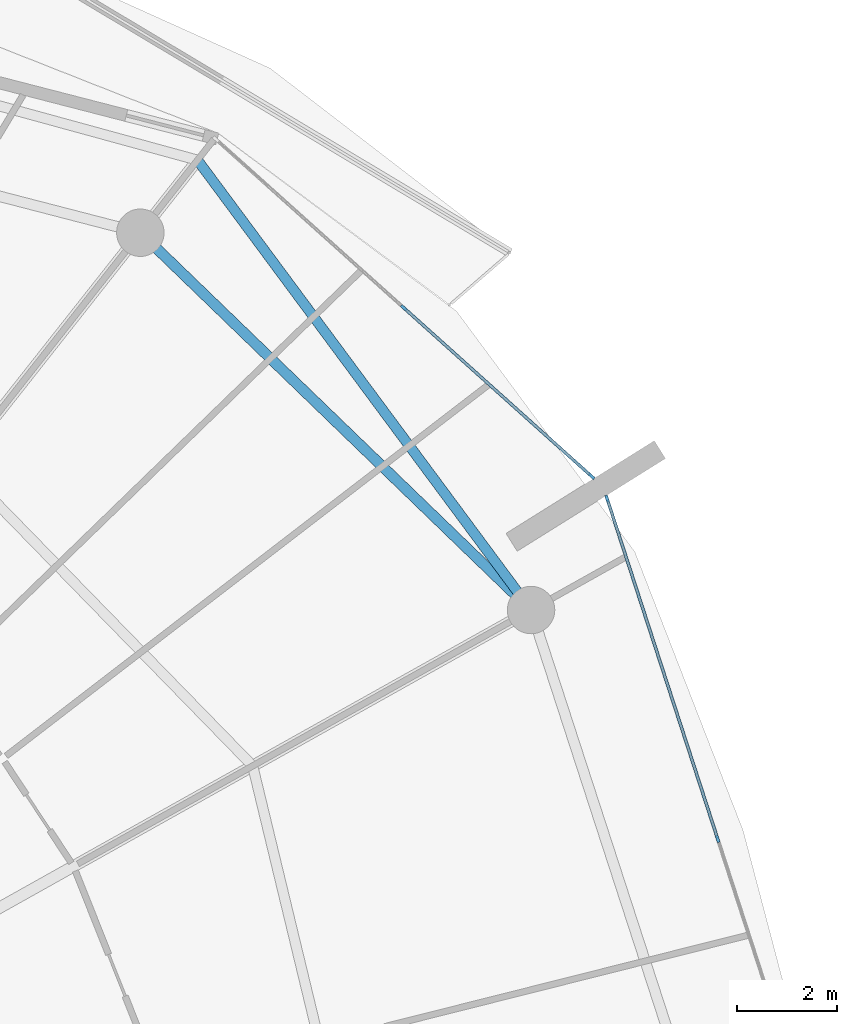
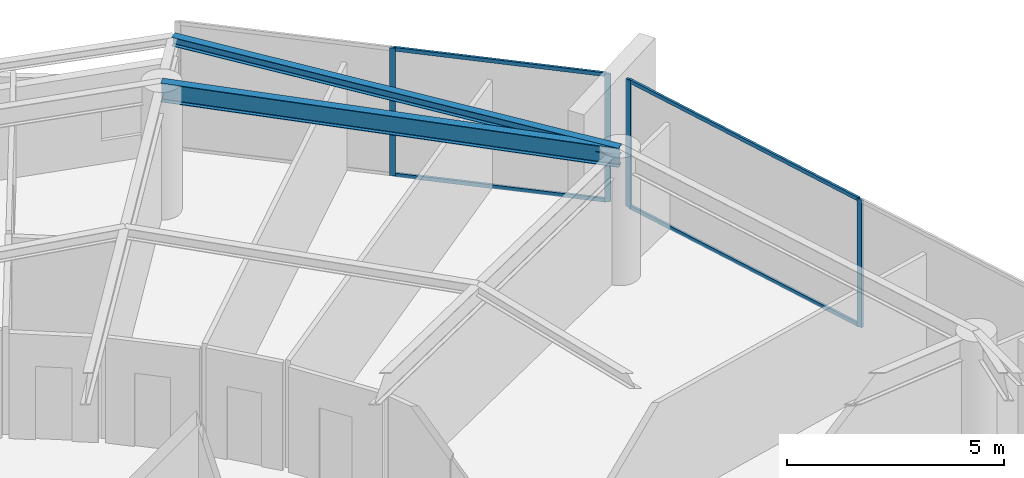
# One storey, part 15 of 30: 8 members, 2 beams, 2 elements without a shape of their own.
"""IFC4 building model written with IfcOpenShell, lengths in metres."""

from ifc_helpers import new_model, si_unit, direction, frame, origin, origin_2d, place, context, subcontext, project, spatial, rectangle, i_section, extrude, material, layer, layer_set, material_profile, profile_set, type_object, element, aggregate, save


model = new_model("IFC4")

# Units and contexts
model_context = context("Model", 3, precision=1e-05, world=origin(), true_north=direction((0.0, 1.0)))
body_context = subcontext(model_context, "Body", "Model", "MODEL_VIEW")
ifc_project = project(units=[si_unit("LENGTHUNIT", "METRE"), si_unit("AREAUNIT", "SQUARE_METRE"), si_unit("VOLUMEUNIT", "CUBIC_METRE"), si_unit("PLANEANGLEUNIT", "RADIAN"), si_unit("MASSUNIT", "GRAM", prefix="KILO")], contexts=[model_context])

# Site, building, storey
site_placement = place(None, origin())
site = spatial("IfcSite", under=ifc_project, at=site_placement, CompositionType="ELEMENT")
building_placement = place(site_placement, origin())
building = spatial("IfcBuilding", under=site, at=building_placement, Name="Kazma Halo Residences", CompositionType="ELEMENT")
storey_placement = place(building_placement, frame((0.0, 0.0, 279.050048828125)))
storey = spatial("IfcBuildingStorey", under=building, at=storey_placement, Name="L70", CompositionType="ELEMENT", Elevation=279.050048828125)

# Beams
ifc_material_1 = material(Name="Steel S355", Category="steel")
ifc_material_profile_1 = material_profile(ifc_material_1, i_section(OverallWidth=0.201904296875, OverallDepth=0.2470703125, WebThickness=0.00732421875, FlangeThickness=0.010986328125, FilletRadius=0.011962890625, at=origin_2d()), Name="W250x49.1")
ifc_profile_set_1 = profile_set([ifc_material_profile_1], Name="Steel S355")
beam_type_1 = type_object("IfcBeamType", Name="BM-BAL-CANT", PredefinedType="BEAM", material=ifc_profile_set_1)
beam_1_placement = place(storey_placement, frame((72.67041015625, 55.81591796875, 3.466552734375), z_axis=(-0.595556062515, 0.803313747176, 0.0), x_axis=(-0.803313747176, -0.595556062515, 0.0)))
element("IfcBeam", 1, at=beam_1_placement, inside=storey, type_object=beam_type_1, Name="L70 wave-balcony lead tie beam 01", PredefinedType="BEAM", context=body_context, shape_type="SweptSolid", body=[
    extrude(i_section(OverallWidth=0.201904296875, OverallDepth=0.2470703125, WebThickness=0.00732421875, FlangeThickness=0.010986328125, FilletRadius=0.011962890625, at=origin_2d()), origin(), (0.0, 0.0, 1.0), 11.213134765625),
])
ifc_material_profile_2 = material_profile(ifc_material_1, i_section(OverallWidth=0.208984375, OverallDepth=0.532958984375, WebThickness=0.01025390625, FlangeThickness=0.015625, FilletRadius=0.01611328125, at=origin_2d()), Name="W530x92")
ifc_profile_set_2 = profile_set([ifc_material_profile_2], Name="Steel S355")
beam_type_2 = type_object("IfcBeamType", Name="BM-SPN-W530", PredefinedType="BEAM", material=ifc_profile_set_2)
beam_2_placement = place(storey_placement, frame((72.67041015625, 55.81591796875, 3.323486328125), z_axis=(-0.719345757929, 0.694652201141, 0.0), x_axis=(-0.694652201141, -0.719345757929, 0.0)))
element("IfcBeam", 2, at=beam_2_placement, inside=storey, type_object=beam_type_2, Name="L70 perimeter ring beam 01", PredefinedType="BEAM", context=body_context, shape_type="SweptSolid", body=[
    extrude(i_section(OverallWidth=0.208984375, OverallDepth=0.532958984375, WebThickness=0.01025390625, FlangeThickness=0.015625, FilletRadius=0.01611328125, at=origin_2d()), origin(), (0.0, 0.0, 1.0), 10.87548828125),
])

# Curtain wall, members
ifc_material_2 = material(Name="Aluminium AW-6063 T6 and Triple-Silver Low-E Glass", Category="aluminium")
ifc_layer = layer(ifc_material_2, 0.139892578125)
ifc_layer_set = layer_set([ifc_layer], Name="Aluminium AW-6063 T6 and Triple-Silver Low-E Glass")
curtain_wall_type = type_object("IfcCurtainWallType", Name="CW-SYS-5", PredefinedType="NOTDEFINED", material=ifc_layer_set)
curtain_wall_1_placement = place(storey_placement, origin())
curtain_wall_1 = element("IfcCurtainWall", 3, at=curtain_wall_1_placement, inside=storey, type_object=curtain_wall_type, Name="L70 unitised curtain wall B01", PredefinedType="NOTDEFINED")
ifc_material_3 = material(Name="Aluminium AW-6063 T6", Category="aluminium")
ifc_material_profile_3 = material_profile(ifc_material_3, rectangle(XDim=0.06005859375, YDim=0.139892578125, at=origin_2d()), Name="CWM-60x140")
ifc_profile_set_3 = profile_set([ifc_material_profile_3], Name="Aluminium AW-6063 T6")
member_type_1 = type_object("IfcMemberType", Name="CW-SYS-5-MUL", PredefinedType="MULLION", material=ifc_profile_set_3)
member_1_placement = place(storey_placement, frame((73.88330078125, 58.491943359375, 0.0), z_axis=(0.0, 0.0, 1.0), x_axis=(-0.667804826958, -0.744336424671, 0.0)))
member_1 = element("IfcMember", 4, at=member_1_placement, type_object=member_type_1, Name="CWS-5 mullion 1", PredefinedType="MULLION", context=body_context, shape_type="SweptSolid", body=[
    extrude(rectangle(XDim=0.06005859375, YDim=0.139892578125, at=origin_2d()), origin(), (0.0, 0.0, 1.0), 3.58984375),
])
member_2_placement = place(storey_placement, frame((70.121826171875, 61.86669921875, 0.0), z_axis=(0.0, 0.0, 1.0), x_axis=(-0.667804826958, -0.744336424671, 0.0)))
member_2 = element("IfcMember", 5, at=member_2_placement, type_object=member_type_1, Name="CWS-5 mullion 2", PredefinedType="MULLION", context=body_context, shape_type="SweptSolid", body=[
    extrude(rectangle(XDim=0.06005859375, YDim=0.139892578125, at=origin_2d()), origin(), (0.0, 0.0, 1.0), 3.58984375),
])

curtain_wall_2_placement = place(storey_placement, origin())
curtain_wall_2 = element("IfcCurtainWall", 6, at=curtain_wall_2_placement, inside=storey, type_object=curtain_wall_type, Name="L70 unitised curtain wall B16", PredefinedType="NOTDEFINED")
member_3_placement = place(storey_placement, frame((76.40771484375, 51.230224609375, 0.0), z_axis=(0.0, 0.0, 1.0), x_axis=(-0.951058464359, -0.309010998786, 0.0)))
member_3 = element("IfcMember", 7, at=member_3_placement, type_object=member_type_1, Name="CWS-5 mullion 2", PredefinedType="MULLION", context=body_context, shape_type="SweptSolid", body=[
    extrude(rectangle(XDim=0.06005859375, YDim=0.139892578125, at=origin_2d()), origin(), (0.0, 0.0, 1.0), 3.58984375),
])
member_4_placement = place(storey_placement, frame((74.1923828125, 58.0478515625, 0.0), z_axis=(0.0, 0.0, 1.0), x_axis=(-0.951058464359, -0.309010998786, 0.0)))
member_4 = element("IfcMember", 8, at=member_4_placement, type_object=member_type_1, Name="CWS-5 mullion 3", PredefinedType="MULLION", context=body_context, shape_type="SweptSolid", body=[
    extrude(rectangle(XDim=0.06005859375, YDim=0.139892578125, at=origin_2d()), origin(), (0.0, 0.0, 1.0), 3.58984375),
])

# Member
ifc_material_profile_4 = material_profile(ifc_material_3, rectangle(XDim=0.06005859375, YDim=0.10498046875, at=origin_2d()), Name="CWT-60x105")
ifc_profile_set_4 = profile_set([ifc_material_profile_4], Name="Aluminium AW-6063 T6")
member_type_2 = type_object("IfcMemberType", Name="CW-SYS-5-TRN", PredefinedType="USERDEFINED", material=ifc_profile_set_4)
member_5_placement = place(storey_placement, frame((73.861083984375, 58.511962890625, 0.030029296875), z_axis=(-0.744328897483, 0.667813216679, 0.0), x_axis=(-0.667813216679, -0.744328897483, 0.0)))
member_5 = element("IfcMember", 9, at=member_5_placement, type_object=member_type_2, Name="CWS-5 transom 1.1", ObjectType="TRANSOM", PredefinedType="USERDEFINED", context=body_context, shape_type="SweptSolid", body=[
    extrude(rectangle(XDim=0.06005859375, YDim=0.10498046875, at=origin_2d()), origin(), (0.0, 0.0, 1.0), 4.993408203125),
])

member_6_placement = place(storey_placement, frame((73.861083984375, 58.511962890625, 3.56005859375), z_axis=(-0.744328897483, 0.667813216679, 0.0), x_axis=(-0.667813216679, -0.744328897483, 0.0)))
member_6 = element("IfcMember", 10, at=member_6_placement, type_object=member_type_2, Name="CWS-5 transom 1.2", ObjectType="TRANSOM", PredefinedType="USERDEFINED", context=body_context, shape_type="SweptSolid", body=[
    extrude(rectangle(XDim=0.06005859375, YDim=0.10498046875, at=origin_2d()), origin(), (0.0, 0.0, 1.0), 4.993408203125),
])

aggregate(curtain_wall_1, [member_1, member_2, member_5, member_6])

member_7_placement = place(storey_placement, frame((76.3984375, 51.2587890625, 0.030029296875), z_axis=(-0.309027052142, 0.95105324827, 0.0), x_axis=(-0.95105324827, -0.309027052142, 0.0)))
member_7 = element("IfcMember", 11, at=member_7_placement, type_object=member_type_2, Name="CWS-5 transom 2.1", ObjectType="TRANSOM", PredefinedType="USERDEFINED", context=body_context, shape_type="SweptSolid", body=[
    extrude(rectangle(XDim=0.06005859375, YDim=0.10498046875, at=origin_2d()), origin(), (0.0, 0.0, 1.0), 7.108642578125),
])

member_8_placement = place(storey_placement, frame((76.3984375, 51.2587890625, 3.56005859375), z_axis=(-0.309027052142, 0.95105324827, 0.0), x_axis=(-0.95105324827, -0.309027052142, 0.0)))
member_8 = element("IfcMember", 12, at=member_8_placement, type_object=member_type_2, Name="CWS-5 transom 2.2", ObjectType="TRANSOM", PredefinedType="USERDEFINED", context=body_context, shape_type="SweptSolid", body=[
    extrude(rectangle(XDim=0.06005859375, YDim=0.10498046875, at=origin_2d()), origin(), (0.0, 0.0, 1.0), 7.108642578125),
])

aggregate(curtain_wall_2, [member_3, member_4, member_7, member_8])

save(model, "model.ifc")
